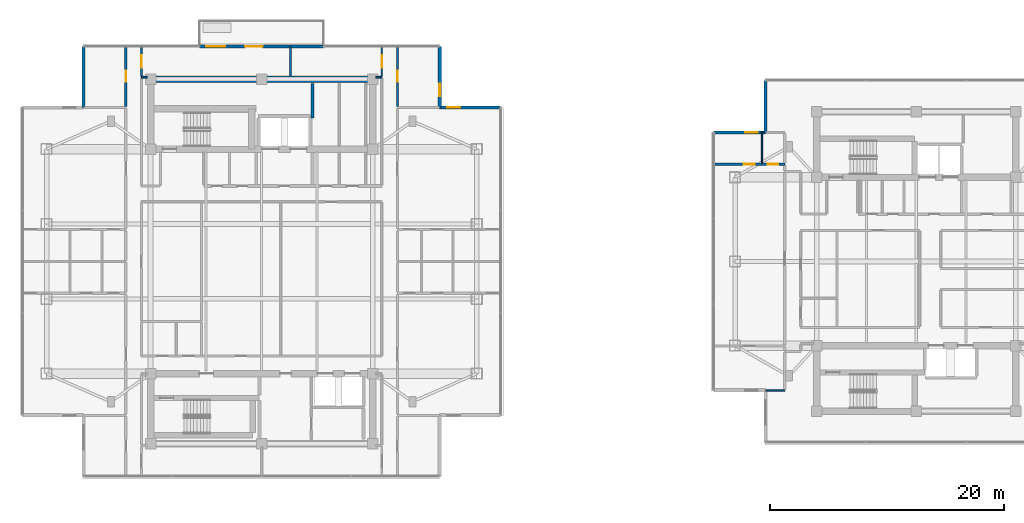
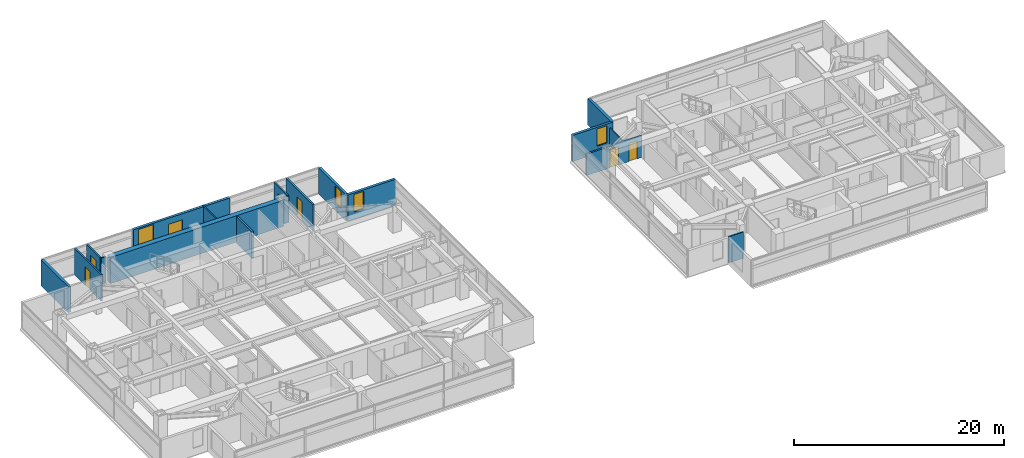
# One storey, part 15 of 24: 18 walls, 7 doors, 4 windows, 11 openings.
"""IFC4 building model written with IfcOpenShell, lengths in metres."""

from ifc_helpers import new_model, si_unit, direction, frame, frame_2d, origin, place, context, subcontext, project, spatial, rectangle, extrude, material, layer, layer_set, type_object, element, fill, save


model = new_model("IFC4")

# Units and contexts
model_context = context("Model", 3, precision=1e-05, world=origin(), true_north=direction((0.0, 1.0)))
body_context = subcontext(model_context, "Body", "Model", "MODEL_VIEW")
ifc_project = project(units=[si_unit("LENGTHUNIT", "METRE"), si_unit("AREAUNIT", "SQUARE_METRE"), si_unit("VOLUMEUNIT", "CUBIC_METRE"), si_unit("PLANEANGLEUNIT", "RADIAN"), si_unit("MASSUNIT", "GRAM", prefix="KILO")], contexts=[model_context])

# Site, building, storey
site_placement = place(None, origin())
site = spatial("IfcSite", under=ifc_project, at=site_placement, CompositionType="ELEMENT")
building_placement = place(site_placement, origin())
building = spatial("IfcBuilding", under=site, at=building_placement, Name="Mirazonda Arch Towers", CompositionType="ELEMENT")
storey_placement = place(building_placement, frame((0.0, 0.0, 196.64990234375)))
storey = spatial("IfcBuildingStorey", under=building, at=storey_placement, Name="L56", CompositionType="ELEMENT", Elevation=196.64990234375)

# Wall
ifc_material_1 = material(Name="Concrete C50/60", Category="concrete")
ifc_layer_1 = layer(ifc_material_1, 0.550048828125, Name="WALL-CORE-550")
ifc_layer_set_1 = layer_set([ifc_layer_1], Name="Concrete C50/60")
wall_type_1 = type_object("IfcWallType", Name="WALL-CORE-550", PredefinedType="SHEAR", material=ifc_layer_set_1)
wall_1_placement = place(storey_placement, frame((11.0, 43.60009765625, 0.0), z_axis=(0.0, 0.0, 1.0), x_axis=(1.0, 0.0, 0.0)))
element("IfcWall", 1, at=wall_1_placement, inside=storey, type_object=wall_type_1, Name="L56 T1N-N Core Shear Wall", PredefinedType="SHEAR", context=body_context, shape_type="SweptSolid", body=[
    extrude(rectangle(XDim=19.0, YDim=0.550048828125, at=frame_2d((9.5, 0.0))), origin(), (0.0, 0.0, 1.0), 3.050048828125),
])

# Wall, openings, door, window
ifc_material_2 = material(Name="Precast Concrete C40/50", Category="concrete")
ifc_layer_2 = layer(ifc_material_2, 0.280029296875, Name="WALL-EXT-WALL-280")
ifc_layer_set_2 = layer_set([ifc_layer_2], Name="Precast Concrete C40/50")
wall_type_2 = type_object("IfcWallType", Name="WALL-EXT-WALL-280", PredefinedType="SOLIDWALL", material=ifc_layer_set_2)
wall_2_placement = place(storey_placement, frame((15.199951171875, 46.382080078125, 0.0), z_axis=(0.0, 0.0, 1.0), x_axis=(1.0, 0.0, 0.0)))
wall_2 = element("IfcWall", 2, at=wall_2_placement, inside=storey, type_object=wall_type_2, Name="L56 T1 Sky-Terrace Threshold Wall WL-TERR-L56-T1", PredefinedType="SOLIDWALL", context=body_context, shape_type="SweptSolid", body=[
    extrude(rectangle(XDim=10.60009765625, YDim=0.280029296875, at=frame_2d((5.300048828125, 0.0))), origin(), (0.0, 0.0, 1.0), 3.010009765625),
])
opening_1_placement = place(wall_2_placement, frame((0.550048828125, 0.0, 0.659912109375)))
opening_1 = element("IfcOpeningElement", 3, at=opening_1_placement, cuts=wall_2, Name="Opening WN-115", PredefinedType="OPENING", context=body_context, shape_type="SweptSolid", body=[
    extrude(rectangle(XDim=1.64990234375, YDim=2.199951171875, at=frame_2d((0.824951171875, 1.10009765625))), frame((0.0, 0.14990234375, 0.0), z_axis=(0.0, -1.0, 0.0), x_axis=(1.0, 0.0, 0.0)), (0.0, 0.0, 1.0), 0.300048828125),
])
opening_2_placement = place(wall_2_placement, frame((3.8798828125, 0.0, 0.0)))
opening_2 = element("IfcOpeningElement", 4, at=opening_2_placement, cuts=wall_2, Name="Opening DR-116", PredefinedType="OPENING", context=body_context, shape_type="SweptSolid", body=[
    extrude(rectangle(XDim=1.5, YDim=2.300048828125, at=frame_2d((0.75, 1.14990234375))), frame((0.0, 0.14990234375, 0.0), z_axis=(0.0, -1.0, 0.0), x_axis=(1.0, 0.0, 0.0)), (0.0, 0.0, 1.0), 0.300048828125),
])
ifc_material_3 = material(Name="Architectural Hardwood Timber", Category="wood")
door_type_1 = type_object("IfcDoorType", Name="DOOR-TERR-EXT-1500", OperationType="NOTDEFINED", PredefinedType="DOOR", material=ifc_material_3)
door_1_placement = place(opening_2_placement, origin())
door_1 = element("IfcDoor", 5, at=door_1_placement, inside=storey, type_object=door_type_1, Name="L56 Exterior Door DR-TERR-L56-T1", OperationType="SINGLE_SWING_LEFT", OverallHeight=2.300048828125, OverallWidth=1.5, PredefinedType="DOOR", context=body_context, shape_type="SweptSolid", body=[
    extrude(rectangle(XDim=1.5, YDim=2.300048828125, at=frame_2d((0.75, 1.14990234375))), frame((0.0, 0.02490234375, 0.0), z_axis=(0.0, -1.0, 0.0), x_axis=(1.0, 0.0, 0.0)), (0.0, 0.0, 1.0), 0.050048828125),
])
fill(opening_2, door_1)
ifc_material_4 = material(Name="Insulated Low-E Solar Glass", Category="glass")
window_type_1 = type_object("IfcWindowType", Name="WIN-RES-1650x2200", PartitioningType="SINGLE_PANEL", PredefinedType="WINDOW", material=ifc_material_4)
window_1_placement = place(opening_1_placement, origin())
window_1 = element("IfcWindow", 6, at=window_1_placement, inside=storey, type_object=window_type_1, Name="L56 Punched Facade Window WN-TERR-L56-T1", OverallHeight=2.199951171875, OverallWidth=1.64990234375, PartitioningType="SINGLE_PANEL", PredefinedType="WINDOW", context=body_context, shape_type="SweptSolid", body=[
    extrude(rectangle(XDim=1.64990234375, YDim=2.199951171875, at=frame_2d((0.824951171875, 1.10009765625))), frame((0.0, 0.030029296875, 0.0), z_axis=(0.0, -1.0, 0.0), x_axis=(1.0, 0.0, 0.0)), (0.0, 0.0, 1.0), 0.06005859375),
])
fill(opening_1, window_1)

# Wall, opening, window
wall_3_placement = place(storey_placement, frame((35.735107421875, 41.1669921875, 0.0), z_axis=(0.0, 0.0, 1.0), x_axis=(0.0, 1.0, 0.0)))
wall_3 = element("IfcWall", 7, at=wall_3_placement, inside=storey, type_object=wall_type_2, Name="L56 T1 Notched NE Corner Wall WL-L56-T1-CNE", PredefinedType="SOLIDWALL", context=body_context, shape_type="SweptSolid", body=[
    extrude(rectangle(XDim=5.215087890625, YDim=0.280029296875, at=frame_2d((2.607421875, 0.0))), origin(), (0.0, 0.0, 1.0), 3.030029296875),
])
opening_3_placement = place(wall_3_placement, frame((0.949951171875, 0.0, 0.85009765625)))
opening_3 = element("IfcOpeningElement", 8, at=opening_3_placement, cuts=wall_3, Name="Opening WN-108", PredefinedType="OPENING", context=body_context, shape_type="SweptSolid", body=[
    extrude(rectangle(XDim=1.10009765625, YDim=2.0, at=frame_2d((0.550048828125, 1.0))), frame((0.0, 0.14990234375, 0.0), z_axis=(0.0, -1.0, 0.0), x_axis=(1.0, 0.0, 0.0)), (0.0, 0.0, 1.0), 0.300048828125),
])
window_type_2 = type_object("IfcWindowType", Name="WIN-NOTCH-1100x2000", PartitioningType="SINGLE_PANEL", PredefinedType="WINDOW", material=ifc_material_4)
window_2_placement = place(opening_3_placement, origin())
window_2 = element("IfcWindow", 9, at=window_2_placement, inside=storey, type_object=window_type_2, Name="L56 Punched Facade Window WN-L56-T1-CNE", OverallHeight=2.0, OverallWidth=1.10009765625, PartitioningType="SINGLE_PANEL", PredefinedType="WINDOW", context=body_context, shape_type="SweptSolid", body=[
    extrude(rectangle(XDim=1.10009765625, YDim=2.0, at=frame_2d((0.550048828125, 1.0))), frame((0.0, 0.030029296875, 0.0), z_axis=(0.0, -1.0, 0.0), x_axis=(1.0, 0.0, 0.0)), (0.0, 0.0, 1.0), 0.06005859375),
])
fill(opening_3, window_2)

# Wall
wall_4_placement = place(storey_placement, frame((5.264892578125, 46.382080078125, 0.0), z_axis=(0.0, 0.0, 1.0), x_axis=(0.0, -1.0, 0.0)))
element("IfcWall", 10, at=wall_4_placement, inside=storey, type_object=wall_type_2, Name="L56 T1 Corner Notch Return Wall WL-L56-T1-CNW2", PredefinedType="SOLIDWALL", context=body_context, shape_type="SweptSolid", body=[
    extrude(rectangle(XDim=5.215087890625, YDim=0.280029296875, at=frame_2d((2.607421875, 0.0))), origin(), (0.0, 0.0, 1.0), 3.030029296875),
])

# Wall, opening, window
wall_5_placement = place(storey_placement, frame((40.949951171875, 41.1669921875, 0.0), z_axis=(0.0, 0.0, 1.0), x_axis=(-1.0, 0.0, 0.0)))
wall_5 = element("IfcWall", 11, at=wall_5_placement, inside=storey, type_object=wall_type_2, Name="L56 T1 Corner Notch Return Wall WL-L56-T1-CNE2", PredefinedType="SOLIDWALL", context=body_context, shape_type="SweptSolid", body=[
    extrude(rectangle(XDim=5.21484375, YDim=0.280029296875, at=frame_2d((2.607421875, 0.0))), origin(), (0.0, 0.0, 1.0), 3.030029296875),
])
opening_4_placement = place(wall_5_placement, frame((3.465087890625, 0.0, 0.85009765625)))
opening_4 = element("IfcOpeningElement", 12, at=opening_4_placement, cuts=wall_5, Name="Opening WN-108", PredefinedType="OPENING", context=body_context, shape_type="SweptSolid", body=[
    extrude(rectangle(XDim=1.10009765625, YDim=2.0, at=frame_2d((0.550048828125, 1.0))), frame((0.0, 0.14990234375, 0.0), z_axis=(0.0, -1.0, 0.0), x_axis=(1.0, 0.0, 0.0)), (0.0, 0.0, 1.0), 0.300048828125),
])
window_3_placement = place(opening_4_placement, origin())
window_3 = element("IfcWindow", 13, at=window_3_placement, inside=storey, type_object=window_type_2, Name="L56 Punched Facade Window WN-L56-T1-CNE2", OverallHeight=2.0, OverallWidth=1.10009765625, PartitioningType="SINGLE_PANEL", PredefinedType="WINDOW", context=body_context, shape_type="SweptSolid", body=[
    extrude(rectangle(XDim=1.10009765625, YDim=2.0, at=frame_2d((0.550048828125, 1.0))), frame((0.0, 0.030029296875, 0.0), z_axis=(0.0, -1.0, 0.0), x_axis=(1.0, 0.0, 0.0)), (0.0, 0.0, 1.0), 0.06005859375),
])
fill(opening_4, window_3)

wall_6_placement = place(storey_placement, frame((63.610107421875, 39.031982421875, 0.0), z_axis=(0.0, 0.0, 1.0), x_axis=(-1.0, 0.0, 0.0)))
wall_6 = element("IfcWall", 14, at=wall_6_placement, inside=storey, type_object=wall_type_2, Name="L56 T2 Corner Notch Return Wall WL-L56-T2-CNW1", PredefinedType="SOLIDWALL", context=body_context, shape_type="SweptSolid", body=[
    extrude(rectangle(XDim=4.439697265625, YDim=0.280029296875, at=frame_2d((2.2197265625, 0.0))), origin(), (0.0, 0.0, 1.0), 3.030029296875),
])
opening_5_placement = place(wall_6_placement, frame((0.64990234375, 0.0, 0.85009765625)))
opening_5 = element("IfcOpeningElement", 15, at=opening_5_placement, cuts=wall_6, Name="Opening WN-108", PredefinedType="OPENING", context=body_context, shape_type="SweptSolid", body=[
    extrude(rectangle(XDim=1.10009765625, YDim=2.0, at=frame_2d((0.550048828125, 1.0))), frame((0.0, 0.14990234375, 0.0), z_axis=(0.0, -1.0, 0.0), x_axis=(1.0, 0.0, 0.0)), (0.0, 0.0, 1.0), 0.300048828125),
])
window_4_placement = place(opening_5_placement, origin())
window_4 = element("IfcWindow", 16, at=window_4_placement, inside=storey, type_object=window_type_2, Name="L56 Punched Facade Window WN-L56-T2-CNW1", OverallHeight=2.0, OverallWidth=1.10009765625, PartitioningType="SINGLE_PANEL", PredefinedType="WINDOW", context=body_context, shape_type="SweptSolid", body=[
    extrude(rectangle(XDim=1.10009765625, YDim=2.0, at=frame_2d((0.550048828125, 1.0))), frame((0.0, 0.030029296875, 0.0), z_axis=(0.0, -1.0, 0.0), x_axis=(1.0, 0.0, 0.0)), (0.0, 0.0, 1.0), 0.06005859375),
])
fill(opening_5, window_4)

# Walls
wall_7_placement = place(storey_placement, frame((63.610107421875, 43.4716796875, 0.0), z_axis=(0.0, 0.0, 1.0), x_axis=(0.0, -1.0, 0.0)))
element("IfcWall", 17, at=wall_7_placement, inside=storey, type_object=wall_type_2, Name="L56 T2 Corner Notch Return Wall WL-L56-T2-CNW2", PredefinedType="SOLIDWALL", context=body_context, shape_type="SweptSolid", body=[
    extrude(rectangle(XDim=4.439697265625, YDim=0.280029296875, at=frame_2d((2.2197265625, 0.0))), origin(), (0.0, 0.0, 1.0), 3.030029296875),
])
ifc_material_5 = material(Name="Concrete C40/50", Category="concrete")
ifc_layer_3 = layer(ifc_material_5, 0.219970703125, Name="WALL-FFL-220")
ifc_layer_set_3 = layer_set([ifc_layer_3], Name="Concrete C40/50")
wall_type_3 = type_object("IfcWallType", Name="WALL-FFL-220", PredefinedType="SOLIDWALL", material=ifc_layer_set_3)
wall_8_placement = place(storey_placement, frame((24.85009765625, 40.260009765625, 0.0), z_axis=(0.0, 0.0, 1.0), x_axis=(0.0, 1.0, 0.0)))
element("IfcWall", 18, at=wall_8_placement, inside=storey, type_object=wall_type_3, Name="L56 Interior Partition 088", PredefinedType="SOLIDWALL", context=body_context, shape_type="SweptSolid", body=[
    extrude(rectangle(XDim=2.93994140625, YDim=0.219970703125, at=frame_2d((1.469970703125, 0.0))), origin(), (0.0, 0.0, 1.0), 3.050048828125),
])
ifc_material_6 = material(Name="Fire-Rated Gypsum Stud Partition")
ifc_layer_4 = layer(ifc_material_6, 0.14990234375, Name="WALL-PART-CORR-150")
ifc_layer_set_4 = layer_set([ifc_layer_4], Name="Fire-Rated Gypsum Stud Partition")
wall_type_4 = type_object("IfcWallType", Name="WALL-PART-CORR-150", PredefinedType="PARTITIONING", material=ifc_layer_set_4)
for number, where, z_axis, x_axis, name in (
    (19, (10.219970703125, 43.75, 0.0), (0.0, 0.0, 1.0), (1.0, 0.0, 0.0), "L56 Interior Partition 052"),
    (20, (30.27001953125, 43.75, 0.0), (0.0, 0.0, 1.0), (1.0, 0.0, 0.0), "L56 Interior Partition 053"),
):
    element("IfcWall", number, at=place(storey_placement, frame(where, z_axis=z_axis, x_axis=x_axis)), inside=storey, type_object=wall_type_4, Name=name, PredefinedType="PARTITIONING", context=body_context, shape_type="SweptSolid", body=[
        extrude(rectangle(XDim=0.510009765625, YDim=0.14990234375, at=frame_2d((0.2548828125, 0.0))), origin(), (0.0, 0.0, 1.0), 3.050048828125),
    ])

# Wall, opening, door
wall_9_placement = place(storey_placement, frame((10.219970703125, 43.8349609375, 0.0), z_axis=(0.0, 0.0, 1.0), x_axis=(0.0, 1.0, 0.0)))
wall_9 = element("IfcWall", 21, at=wall_9_placement, inside=storey, type_object=wall_type_4, Name="L56 Interior Partition 069", PredefinedType="PARTITIONING", context=body_context, shape_type="SweptSolid", body=[
    extrude(rectangle(XDim=2.547119140625, YDim=0.14990234375, at=frame_2d((1.2734375, 0.0))), origin(), (0.0, 0.0, 1.0), 3.050048828125),
])
opening_6_placement = place(wall_9_placement, frame((0.74853515625, 0.0, 0.0)))
opening_6 = element("IfcOpeningElement", 22, at=opening_6_placement, cuts=wall_9, Name="Opening DR-121", PredefinedType="OPENING", context=body_context, shape_type="SweptSolid", body=[
    extrude(rectangle(XDim=1.050048828125, YDim=2.199951171875, at=frame_2d((0.52490234375, 1.10009765625))), frame((0.0, 0.0849609375, 0.0), z_axis=(0.0, -1.0, 0.0), x_axis=(1.0, 0.0, 0.0)), (0.0, 0.0, 1.0), 0.169921875),
])
ifc_material_7 = material(Name="Architectural Brushed Steel S355", Category="steel")
door_type_2 = type_object("IfcDoorType", Name="DOOR-SUITE-FD60-1050", OperationType="NOTDEFINED", PredefinedType="DOOR", material=ifc_material_7)
door_2_placement = place(opening_6_placement, origin())
door_2 = element("IfcDoor", 23, at=door_2_placement, inside=storey, type_object=door_type_2, Name="L56 North Bay Sunroom West Door", OperationType="SINGLE_SWING_LEFT", OverallHeight=2.199951171875, OverallWidth=1.050048828125, PredefinedType="DOOR", context=body_context, shape_type="SweptSolid", body=[
    extrude(rectangle(XDim=1.050048828125, YDim=2.199951171875, at=frame_2d((0.52490234375, 1.10009765625))), frame((0.0, 0.02490234375, 0.0), z_axis=(0.0, -1.0, 0.0), x_axis=(1.0, 0.0, 0.0)), (0.0, 0.0, 1.0), 0.050048828125),
])
fill(opening_6, door_2)

# Wall
wall_10_placement = place(storey_placement, frame((22.967041015625, 43.8701171875, 0.0), z_axis=(0.0, 0.0, 1.0), x_axis=(0.0, 1.0, 0.0)))
element("IfcWall", 24, at=wall_10_placement, inside=storey, type_object=wall_type_4, Name="L56 Interior Partition 083", PredefinedType="PARTITIONING", context=body_context, shape_type="SweptSolid", body=[
    extrude(rectangle(XDim=2.511962890625, YDim=0.14990234375, at=frame_2d((1.255859375, 0.0))), origin(), (0.0, 0.0, 1.0), 3.050048828125),
])

# Wall, opening, door
wall_11_placement = place(storey_placement, frame((30.780029296875, 43.8349609375, 0.0), z_axis=(0.0, 0.0, 1.0), x_axis=(0.0, 1.0, 0.0)))
wall_11 = element("IfcWall", 25, at=wall_11_placement, inside=storey, type_object=wall_type_4, Name="L56 Interior Partition 099", PredefinedType="PARTITIONING", context=body_context, shape_type="SweptSolid", body=[
    extrude(rectangle(XDim=2.547119140625, YDim=0.14990234375, at=frame_2d((1.2734375, 0.0))), origin(), (0.0, 0.0, 1.0), 3.050048828125),
])
opening_7_placement = place(wall_11_placement, frame((0.74853515625, 0.0, 0.0)))
opening_7 = element("IfcOpeningElement", 26, at=opening_7_placement, cuts=wall_11, Name="Opening DR-121", PredefinedType="OPENING", context=body_context, shape_type="SweptSolid", body=[
    extrude(rectangle(XDim=1.050048828125, YDim=2.199951171875, at=frame_2d((0.52490234375, 1.10009765625))), frame((0.0, 0.0849609375, 0.0), z_axis=(0.0, -1.0, 0.0), x_axis=(1.0, 0.0, 0.0)), (0.0, 0.0, 1.0), 0.169921875),
])
door_3_placement = place(opening_7_placement, origin())
door_3 = element("IfcDoor", 27, at=door_3_placement, inside=storey, type_object=door_type_2, Name="L56 North Bay Sunroom East Door", OperationType="SINGLE_SWING_RIGHT", OverallHeight=2.199951171875, OverallWidth=1.050048828125, PredefinedType="DOOR", context=body_context, shape_type="SweptSolid", body=[
    extrude(rectangle(XDim=1.050048828125, YDim=2.199951171875, at=frame_2d((0.52490234375, 1.10009765625))), frame((0.0, 0.02490234375, 0.0), z_axis=(0.0, -1.0, 0.0), x_axis=(1.0, 0.0, 0.0)), (0.0, 0.0, 1.0), 0.050048828125),
])
fill(opening_7, door_3)

# Wall, openings, doors
ifc_material_8 = material(Name="Fire-Rated Gypsum Twin-Stud Assembly")
ifc_layer_5 = layer(ifc_material_8, 0.179931640625, Name="WALL-PART-DEMISE-180")
ifc_layer_set_5 = layer_set([ifc_layer_5], Name="Fire-Rated Gypsum Twin-Stud Assembly")
wall_type_5 = type_object("IfcWallType", Name="WALL-PART-DEMISE-180", PredefinedType="PARTITIONING", material=ifc_layer_set_5)
wall_12_placement = place(storey_placement, frame((59.169921875, 36.31201171875, 0.0), z_axis=(0.0, 0.0, 1.0), x_axis=(1.0, 0.0, 0.0)))
wall_12 = element("IfcWall", 28, at=wall_12_placement, inside=storey, type_object=wall_type_5, Name="L56 Interior Partition 044", PredefinedType="PARTITIONING", context=body_context, shape_type="SweptSolid", body=[
    extrude(rectangle(XDim=6.080078125, YDim=0.179931640625, at=frame_2d((3.0400390625, 0.0))), origin(), (0.0, 0.0, 1.0), 2.4931640625),
])
opening_8_placement = place(wall_12_placement, frame((2.56201171875, 0.0, 0.0)))
opening_8 = element("IfcOpeningElement", 29, at=opening_8_placement, cuts=wall_12, Name="Opening DR-104", PredefinedType="OPENING", context=body_context, shape_type="SweptSolid", body=[
    extrude(rectangle(XDim=0.949951171875, YDim=2.14990234375, at=frame_2d((0.47509765625, 1.074951171875))), frame((0.0, 0.099853515625, 0.0), z_axis=(0.0, -1.0, 0.0), x_axis=(1.0, 0.0, 0.0)), (0.0, 0.0, 1.0), 0.199951171875),
])
opening_9_placement = place(wall_12_placement, frame((4.636962890625, 0.0, 0.0)))
opening_9 = element("IfcOpeningElement", 30, at=opening_9_placement, cuts=wall_12, Name="Opening DR-120", PredefinedType="OPENING", context=body_context, shape_type="SweptSolid", body=[
    extrude(rectangle(XDim=0.89990234375, YDim=2.10009765625, at=frame_2d((0.449951171875, 1.050048828125))), frame((0.0, 0.099853515625, 0.0), z_axis=(0.0, -1.0, 0.0), x_axis=(1.0, 0.0, 0.0)), (0.0, 0.0, 1.0), 0.199951171875),
])
door_type_3 = type_object("IfcDoorType", Name="DOOR-ROOM-950", OperationType="NOTDEFINED", PredefinedType="DOOR", material=ifc_material_7)
door_4_placement = place(opening_8_placement, origin())
door_4 = element("IfcDoor", 31, at=door_4_placement, inside=storey, type_object=door_type_3, Name="L56 Residence 1 Fitted Kitchen Door", OperationType="SINGLE_SWING_RIGHT", OverallHeight=2.14990234375, OverallWidth=0.949951171875, PredefinedType="DOOR", context=body_context, shape_type="SweptSolid", body=[
    extrude(rectangle(XDim=0.949951171875, YDim=2.14990234375, at=frame_2d((0.47509765625, 1.074951171875))), frame((0.0, 0.02490234375, 0.0), z_axis=(0.0, -1.0, 0.0), x_axis=(1.0, 0.0, 0.0)), (0.0, 0.0, 1.0), 0.050048828125),
])
fill(opening_8, door_4)
door_type_4 = type_object("IfcDoorType", Name="DOOR-WC-900", OperationType="NOTDEFINED", PredefinedType="DOOR", material=ifc_material_7)
door_5_placement = place(opening_9_placement, origin())
door_5 = element("IfcDoor", 32, at=door_5_placement, inside=storey, type_object=door_type_4, Name="L56 Residence 1 Bathroom Door", OperationType="SINGLE_SWING_LEFT", OverallHeight=2.10009765625, OverallWidth=0.89990234375, PredefinedType="DOOR", context=body_context, shape_type="SweptSolid", body=[
    extrude(rectangle(XDim=0.89990234375, YDim=2.10009765625, at=frame_2d((0.449951171875, 1.050048828125))), frame((0.0, 0.02490234375, 0.0), z_axis=(0.0, -1.0, 0.0), x_axis=(1.0, 0.0, 0.0)), (0.0, 0.0, 1.0), 0.050048828125),
])
fill(opening_9, door_5)

# Wall, opening, door
wall_13_placement = place(storey_placement, frame((8.8798828125, 41.26708984375, 0.0), z_axis=(0.0, 0.0, 1.0), x_axis=(0.0, 1.0, 0.0)))
wall_13 = element("IfcWall", 33, at=wall_13_placement, inside=storey, type_object=wall_type_5, Name="L56 Interior Partition 063", PredefinedType="PARTITIONING", context=body_context, shape_type="SweptSolid", body=[
    extrude(rectangle(XDim=5.114990234375, YDim=0.179931640625, at=frame_2d((2.5576171875, 0.0))), origin(), (0.0, 0.0, 1.0), 3.050048828125),
])
opening_10_placement = place(wall_13_placement, frame((2.08251953125, 0.0, 0.0)))
opening_10 = element("IfcOpeningElement", 34, at=opening_10_placement, cuts=wall_13, Name="Opening DR-104", PredefinedType="OPENING", context=body_context, shape_type="SweptSolid", body=[
    extrude(rectangle(XDim=0.949951171875, YDim=2.14990234375, at=frame_2d((0.47509765625, 1.074951171875))), frame((0.0, 0.099853515625, 0.0), z_axis=(0.0, -1.0, 0.0), x_axis=(1.0, 0.0, 0.0)), (0.0, 0.0, 1.0), 0.199951171875),
])
door_6_placement = place(opening_10_placement, origin())
door_6 = element("IfcDoor", 35, at=door_6_placement, inside=storey, type_object=door_type_3, Name="L56 North Bay Sunroom Alcove West Door", OperationType="SINGLE_SWING_LEFT", OverallHeight=2.14990234375, OverallWidth=0.949951171875, PredefinedType="DOOR", context=body_context, shape_type="SweptSolid", body=[
    extrude(rectangle(XDim=0.949951171875, YDim=2.14990234375, at=frame_2d((0.47509765625, 1.074951171875))), frame((0.0, 0.02490234375, 0.0), z_axis=(0.0, -1.0, 0.0), x_axis=(1.0, 0.0, 0.0)), (0.0, 0.0, 1.0), 0.050048828125),
])
fill(opening_10, door_6)

wall_14_placement = place(storey_placement, frame((32.1201171875, 41.26708984375, 0.0), z_axis=(0.0, 0.0, 1.0), x_axis=(0.0, 1.0, 0.0)))
wall_14 = element("IfcWall", 36, at=wall_14_placement, inside=storey, type_object=wall_type_5, Name="L56 Interior Partition 105", PredefinedType="PARTITIONING", context=body_context, shape_type="SweptSolid", body=[
    extrude(rectangle(XDim=5.114990234375, YDim=0.179931640625, at=frame_2d((2.5576171875, 0.0))), origin(), (0.0, 0.0, 1.0), 3.050048828125),
])
opening_11_placement = place(wall_14_placement, frame((2.08251953125, 0.0, 0.0)))
opening_11 = element("IfcOpeningElement", 37, at=opening_11_placement, cuts=wall_14, Name="Opening DR-104", PredefinedType="OPENING", context=body_context, shape_type="SweptSolid", body=[
    extrude(rectangle(XDim=0.949951171875, YDim=2.14990234375, at=frame_2d((0.47509765625, 1.074951171875))), frame((0.0, 0.099853515625, 0.0), z_axis=(0.0, -1.0, 0.0), x_axis=(1.0, 0.0, 0.0)), (0.0, 0.0, 1.0), 0.199951171875),
])
door_7_placement = place(opening_11_placement, origin())
door_7 = element("IfcDoor", 38, at=door_7_placement, inside=storey, type_object=door_type_3, Name="L56 North Bay Sunroom Alcove East Door", OperationType="SINGLE_SWING_RIGHT", OverallHeight=2.14990234375, OverallWidth=0.949951171875, PredefinedType="DOOR", context=body_context, shape_type="SweptSolid", body=[
    extrude(rectangle(XDim=0.949951171875, YDim=2.14990234375, at=frame_2d((0.47509765625, 1.074951171875))), frame((0.0, 0.02490234375, 0.0), z_axis=(0.0, -1.0, 0.0), x_axis=(1.0, 0.0, 0.0)), (0.0, 0.0, 1.0), 0.050048828125),
])
fill(opening_11, door_7)

# Walls
ifc_material_9 = material(Name="Acoustic Fire-Rated Gypsum Partition")
ifc_layer_6 = layer(ifc_material_9, 0.125, Name="WALL-PART-UNIT-125")
ifc_layer_set_6 = layer_set([ifc_layer_6], Name="Acoustic Fire-Rated Gypsum Partition")
wall_type_6 = type_object("IfcWallType", Name="WALL-PART-UNIT-125", PredefinedType="PARTITIONING", material=ifc_layer_set_6)
wall_15_placement = place(storey_placement, frame((63.630126953125, 16.968017578125, 0.0), z_axis=(0.0, 0.0, 1.0), x_axis=(1.0, 0.0, 0.0)))
element("IfcWall", 39, at=wall_15_placement, inside=storey, type_object=wall_type_6, Name="L56 Interior Partition 008", PredefinedType="PARTITIONING", context=body_context, shape_type="SweptSolid", body=[
    extrude(rectangle(XDim=1.619873046875, YDim=0.125, at=frame_2d((0.81005859375, 0.0))), origin(), (0.0, 0.0, 1.0), 3.050048828125),
])
wall_16_placement = place(storey_placement, frame((63.303955078125, 36.412109375, 0.0), z_axis=(0.0, 0.0, 1.0), x_axis=(0.0, 1.0, 0.0)))
element("IfcWall", 40, at=wall_16_placement, inside=storey, type_object=wall_type_6, Name="L56 Interior Partition 110", PredefinedType="PARTITIONING", context=body_context, shape_type="SweptSolid", body=[
    extrude(rectangle(XDim=2.619873046875, YDim=0.125, at=frame_2d((1.31005859375, 0.0))), origin(), (0.0, 0.0, 1.0), 2.4931640625),
])

save(model, "model.ifc")
